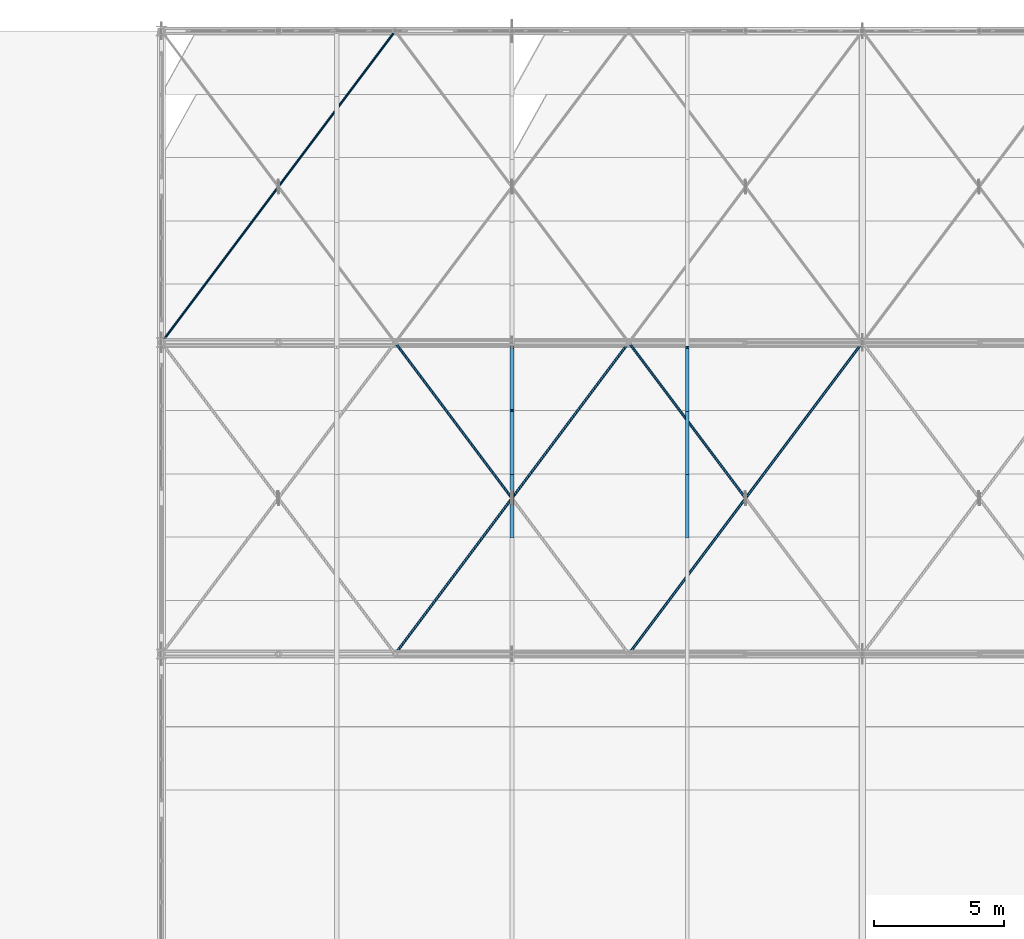
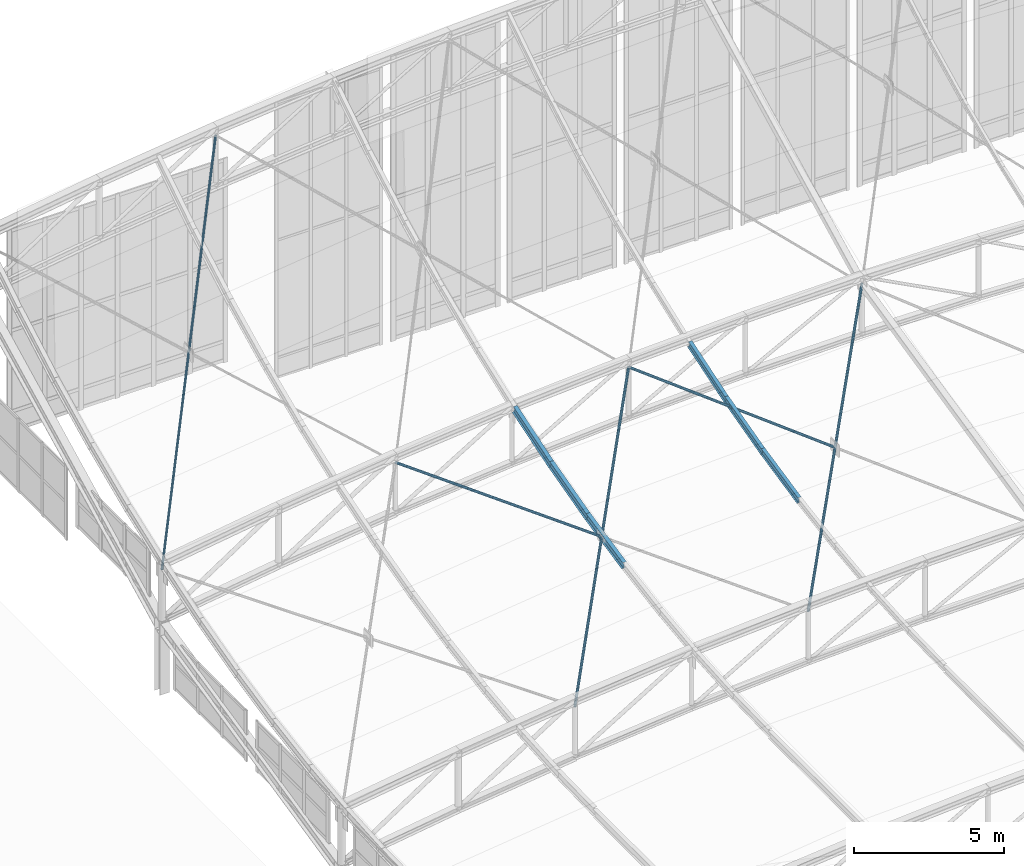
# One storey, part 115 of 262: 11 members.
"""IFC4 building model written with IfcOpenShell, lengths in metres."""

import ifcopenshell
import ifcopenshell.guid

model = None  # the IFC model being written
_history = None  # IfcOwnerHistory: only IFC2X3 demands one
_inside = {}  # id of a spatial element -> (the spatial element, [elements in it])
_under = {}  # id of a project, library or spatial element -> (it, [spatial elements below it])
_declared = {}  # id of a project -> (the project, [libraries it declares])
_typed = {}  # id of a type object -> (the type object, [elements of that type])
_made_of = {}  # id of a material, layer set ... -> (it, [elements and type objects made of it])


def new_model(schema):
    """Start an empty IFC model of exactly this schema.

    Asked for "IFC4X3", IfcOpenShell would pick the latest addendum, in which some entities
    have other attributes; the version numbers below select the first issue.
    IFC2X3 requires an IfcOwnerHistory on every rooted entity: one is made here for all.
    """
    global model, _history
    if schema == "IFC4X3":
        model = ifcopenshell.file(schema_version=(4, 3, 0, 0))
    else:
        model = ifcopenshell.file(schema=schema)
    _inside.clear()
    _under.clear()
    _declared.clear()
    _typed.clear()
    _made_of.clear()
    _history = None
    if model.schema == "IFC2X3":
        org = make("IfcOrganization", Name="unknown")
        user = make(
            "IfcPersonAndOrganization",
            ThePerson=make("IfcPerson", FamilyName="unknown"),
            TheOrganization=org,
        )
        app = make(
            "IfcApplication",
            ApplicationDeveloper=org,
            Version="unknown",
            ApplicationFullName="unknown",
            ApplicationIdentifier="unknown",
        )
        _history = make(
            "IfcOwnerHistory",
            OwningUser=user,
            OwningApplication=app,
            ChangeAction="ADDED",
            CreationDate=0,
        )
    return model


def make(cls, **values):
    """One entity of the class cls with the attributes given. An attribute that is None is left unset."""
    return model.create_entity(
        cls, **{name: value for name, value in values.items() if value is not None}
    )


def rooted(cls, **values):
    """An entity with a GlobalId (a new one), such as an element, a storey or a relation."""
    return make(cls, GlobalId=ifcopenshell.guid.new(), OwnerHistory=_history, **values)


def si_unit(unit_type, name, prefix=None):
    """IfcSIUnit, for example si_unit("LENGTHUNIT", "METRE", prefix="MILLI")."""
    return make("IfcSIUnit", UnitType=unit_type, Prefix=prefix, Name=name)


def derived_unit(unit_type, elements):
    """IfcDerivedUnit: a product of units, each with its exponent."""
    return make(
        "IfcDerivedUnit",
        Elements=[
            make("IfcDerivedUnitElement", Unit=unit, Exponent=power)
            for unit, power in elements
        ],
        UnitType=unit_type,
    )


def assignment(units):
    """IfcUnitAssignment: the units of a project."""
    return None if units is None else make("IfcUnitAssignment", Units=units)


def point(xyz):
    """IfcCartesianPoint."""
    return None if xyz is None else make("IfcCartesianPoint", Coordinates=xyz)


def direction(xyz):
    """IfcDirection."""
    return None if xyz is None else make("IfcDirection", DirectionRatios=xyz)


def frame(location, z_axis=None, x_axis=None):
    """IfcAxis2Placement3D, a coordinate frame: its origin and axes. An axis left out is left unset."""
    return make(
        "IfcAxis2Placement3D",
        Location=point(location),
        Axis=direction(z_axis),
        RefDirection=direction(x_axis),
    )


def frame_2d(location, x_axis=None):
    """IfcAxis2Placement2D, a coordinate frame in the plane: its origin and x axis."""
    return make(
        "IfcAxis2Placement2D", Location=point(location), RefDirection=direction(x_axis)
    )


def origin():
    """The frame at (0, 0, 0) with its axes left unset."""
    return frame((0.0, 0.0, 0.0))


def origin_2d():
    """The frame at (0, 0) in the plane with its x axis left unset."""
    return frame_2d((0.0, 0.0))


def place(relative_to, where):
    """IfcLocalPlacement: puts the frame where relative to a parent placement (None: the world)."""
    return make(
        "IfcLocalPlacement", PlacementRelTo=relative_to, RelativePlacement=where
    )


def context(
    kind, dimensions, precision=None, world=None, true_north=None, identifier=None
):
    """IfcGeometricRepresentationContext, for example the 3D "Model" context."""
    return make(
        "IfcGeometricRepresentationContext",
        ContextIdentifier=identifier,
        ContextType=kind,
        CoordinateSpaceDimension=dimensions,
        Precision=precision,
        WorldCoordinateSystem=world,
        TrueNorth=true_north,
    )


def subcontext(parent, identifier, kind, view, scale=None):
    """IfcGeometricRepresentationSubContext, for example "Body" below "Model"."""
    return make(
        "IfcGeometricRepresentationSubContext",
        ContextIdentifier=identifier,
        ContextType=kind,
        ParentContext=parent,
        TargetScale=scale,
        TargetView=view,
    )


def project(units=None, contexts=None):
    """IfcProject with its units and contexts."""
    return rooted(
        "IfcProject",
        Name="project",
        RepresentationContexts=contexts,
        UnitsInContext=assignment(units),
    )


def spatial(cls, under=None, at=None, **own):
    """A site, building, storey or space (cls), placed at a placement, below another one or the project."""
    s = rooted(cls, ObjectPlacement=at, **own)
    if under is not None:
        _under.setdefault(under.id(), (under, []))[1].append(s)
    return s


def profile(cls, at=None, kind="AREA", **sizes):
    """A parametric profile (cls). Its sizes go by their IFC names, for example OverallWidth=200.0."""
    return make(cls, ProfileType=kind, Position=at, **sizes)


def hollow_circle(**sizes):
    """IfcCircleHollowProfileDef."""
    return profile("IfcCircleHollowProfileDef", **sizes)


def i_section(**sizes):
    """IfcIShapeProfileDef."""
    return profile("IfcIShapeProfileDef", **sizes)


def extrude(swept, where, along, depth):
    """IfcExtrudedAreaSolid: the profile swept, set in the frame where, extruded along a direction by depth."""
    return make(
        "IfcExtrudedAreaSolid",
        SweptArea=swept,
        Position=where,
        ExtrudedDirection=direction(along),
        Depth=depth,
    )


def shape(context_of_items, identifier, shape_type, items):
    """IfcShapeRepresentation: the items that make up one representation, for example the "Body"."""
    return make(
        "IfcShapeRepresentation",
        ContextOfItems=context_of_items,
        RepresentationIdentifier=identifier,
        RepresentationType=shape_type,
        Items=items,
    )


def material(Name=None, Category=None):
    """IfcMaterial."""
    return make("IfcMaterial", Name=Name, Category=Category)


def material_profile(
    of_material, cross_section, Name=None, Category=None, Priority=None
):
    """IfcMaterialProfile: a cross section and its material."""
    return make(
        "IfcMaterialProfile",
        Name=Name,
        Material=of_material,
        Profile=cross_section,
        Priority=Priority,
        Category=Category,
    )


def profile_set(profiles, Name=None, composite=None):
    """IfcMaterialProfileSet."""
    return make(
        "IfcMaterialProfileSet",
        Name=Name,
        MaterialProfiles=profiles,
        CompositeProfile=composite,
    )


def made_of(thing, what):
    """Note that an element or type object is made of a material, layer set ...; save() writes the relation."""
    if what is not None:
        _made_of.setdefault(what.id(), (what, []))[1].append(thing)
    return thing


def type_object(cls, material=None, **own):
    """A type object (cls), such as IfcWallType, which elements share."""
    return made_of(rooted(cls, **own), material)


def element(
    cls,
    number,
    at=None,
    inside=None,
    cuts=None,
    type_object=None,
    material=None,
    context=None,
    identifier="Body",
    shape_type=None,
    held_by="IfcProductDefinitionShape",
    body=None,
    shapes=None,
    **own,
):
    """One element of the class cls, such as IfcWall. Its Tag is "e" and its number.

    at: its placement. inside: the storey or other place that contains it. cuts: it is an
    opening in that element (IfcRelVoidsElement). A single representation is given by context,
    identifier, shape_type and body (its items); several are given by shapes. held_by: the class
    of the entity that holds the representations. save() writes the other relations.
    """
    e = rooted(cls, Tag="e%d" % number, ObjectPlacement=at, **own)
    if body is not None:
        shapes = [shape(context, identifier, shape_type, body)]
    if shapes is not None:
        e.Representation = make(held_by, Representations=shapes)
    if inside is not None:
        _inside.setdefault(inside.id(), (inside, []))[1].append(e)
    if cuts is not None:
        rooted(
            "IfcRelVoidsElement", RelatingBuildingElement=cuts, RelatedOpeningElement=e
        )
    if type_object is not None:
        _typed.setdefault(type_object.id(), (type_object, []))[1].append(e)
    return made_of(e, material)


def aggregate(whole, parts):
    """IfcRelAggregates: a whole, such as a stair, and the parts it consists of."""
    return rooted("IfcRelAggregates", RelatingObject=whole, RelatedObjects=parts)


def save(model, path):
    """Write the relations noted so far, then the file.

    IfcRelAggregates (storeys below a building ...), IfcRelContainedInSpatialStructure (elements
    in a storey), IfcRelDefinesByType, IfcRelAssociatesMaterial and IfcRelDeclares: one each for
    every whole, place, type object, material and project.
    """
    for whole, parts in _under.values():
        aggregate(whole, parts)
    for where, things in _inside.values():
        rooted(
            "IfcRelContainedInSpatialStructure",
            RelatedElements=things,
            RelatingStructure=where,
        )
    for kind, things in _typed.values():
        rooted("IfcRelDefinesByType", RelatedObjects=things, RelatingType=kind)
    for what, things in _made_of.values():
        rooted("IfcRelAssociatesMaterial", RelatedObjects=things, RelatingMaterial=what)
    for by, libraries in _declared.values():
        rooted("IfcRelDeclares", RelatingContext=by, RelatedDefinitions=libraries)
    model.write(path)


model = new_model("IFC4")

# Units and contexts
model_context = context("Model", 3, precision=1e-05, world=origin(), true_north=direction((0.0, 1.0)))
body_context = subcontext(model_context, "Body", "Model", "MODEL_VIEW")
ifc_project = project(units=[si_unit("LENGTHUNIT", "METRE"), si_unit("AREAUNIT", "SQUARE_METRE"), si_unit("VOLUMEUNIT", "CUBIC_METRE"), si_unit("PLANEANGLEUNIT", "RADIAN"), si_unit("MASSUNIT", "GRAM", prefix="KILO"), derived_unit("THERMALTRANSMITTANCEUNIT", [(si_unit("POWERUNIT", "WATT"), 1), (si_unit("LENGTHUNIT", "METRE"), -2), (si_unit("THERMODYNAMICTEMPERATUREUNIT", "KELVIN"), -1)])], contexts=[model_context])

# Site, building, storey
site_placement = place(None, origin())
site = spatial("IfcSite", under=ifc_project, at=site_placement, CompositionType="ELEMENT")
building_placement = place(site_placement, origin())
building = spatial("IfcBuilding", under=site, at=building_placement, Name="Almenara Railside Exhibition Hall", CompositionType="ELEMENT")
storey_placement = place(building_placement, frame((0.0, 0.0, 21.699951171875)))
storey = spatial("IfcBuildingStorey", under=building, at=storey_placement, Name="RF", CompositionType="ELEMENT", Elevation=21.699951171875)

# Members
ifc_material = material(Name="Structural steel S355JR", Category="steel")
ifc_material_profile_1 = material_profile(ifc_material, hollow_circle(Radius=0.04443359375, WallThickness=0.00390625, at=origin_2d()), Name="CHS 88.9x4")
ifc_profile_set_1 = profile_set([ifc_material_profile_1], Name="Structural steel S355JR")
member_type_1 = type_object("IfcMemberType", Name="Canopy Tie Brace CHS 88.9x4 S355JR", PredefinedType="BRACE", material=ifc_profile_set_1)
member_1_placement = place(storey_placement, frame((12.0, 120.0, 2.561279296875), z_axis=(0.539771464134, 0.719695285512, 0.436675465898), x_axis=(-0.8, 0.6, 0.0)))
element("IfcMember", 1, at=member_1_placement, inside=storey, type_object=member_type_1, Name="MEM-WB-V1-WB-CHS89-06-00-C", PredefinedType="BRACE", context=body_context, shape_type="SweptSolid", body=[
    extrude(hollow_circle(Radius=0.04443359375, WallThickness=0.00390625, at=origin_2d()), origin(), (0.0, 0.0, 1.0), 16.673828125),
])
ifc_material_profile_2 = material_profile(ifc_material, i_section(OverallWidth=0.14990234375, OverallDepth=0.300048828125, WebThickness=0.007080078125, FlangeThickness=0.0107421875, FilletRadius=0.014892578125, at=origin_2d()), Name="IPE 300")
ifc_profile_set_2 = profile_set([ifc_material_profile_2], Name="Structural steel S355JR")
member_type_2 = type_object("IfcMemberType", Name="East Hall Ridge Purlin IPE 300 S355JR", PredefinedType="PURLIN", material=ifc_profile_set_2)
member_2_placement = place(storey_placement, frame((25.5, 112.50634765625, 2.55078125), z_axis=(0.0, 0.977496103583, 0.210953472309), x_axis=(-1.0, 0.0, 0.0)))
element("IfcMember", 2, at=member_2_placement, inside=storey, type_object=member_type_2, Name="MEM-PR-V1-PR-IPE300-02-20", PredefinedType="PURLIN", context=body_context, shape_type="SweptSolid", body=[
    extrude(i_section(OverallWidth=0.14990234375, OverallDepth=0.300048828125, WebThickness=0.007080078125, FlangeThickness=0.0107421875, FilletRadius=0.014892578125, at=origin_2d()), origin(), (0.0, 0.0, 1.0), 2.492919921875),
])
member_3_placement = place(storey_placement, frame((25.5, 114.943115234375, 3.072509765625), z_axis=(0.0, 0.966201190487, 0.257789176462), x_axis=(-1.0, 0.0, 0.0)))
element("IfcMember", 3, at=member_3_placement, inside=storey, type_object=member_type_2, Name="MEM-PR-V1-PR-IPE300-02-21", PredefinedType="PURLIN", context=body_context, shape_type="SweptSolid", body=[
    extrude(i_section(OverallWidth=0.14990234375, OverallDepth=0.300048828125, WebThickness=0.007080078125, FlangeThickness=0.0107421875, FilletRadius=0.014892578125, at=origin_2d()), origin(), (0.0, 0.0, 1.0), 2.52197265625),
])
member_4_placement = place(storey_placement, frame((25.5, 117.3798828125, 3.717529296875), z_axis=(0.0, 0.952468462339, 0.304637207594), x_axis=(-1.0, 0.0, 0.0)))
element("IfcMember", 4, at=member_4_placement, inside=storey, type_object=member_type_2, Name="MEM-PR-V1-PR-IPE300-02-22", PredefinedType="PURLIN", context=body_context, shape_type="SweptSolid", body=[
    extrude(i_section(OverallWidth=0.14990234375, OverallDepth=0.300048828125, WebThickness=0.007080078125, FlangeThickness=0.0107421875, FilletRadius=0.014892578125, at=origin_2d()), origin(), (0.0, 0.0, 1.0), 2.55810546875),
])
ifc_material_profile_3 = material_profile(ifc_material, i_section(OverallWidth=0.135009765625, OverallDepth=0.27001953125, WebThickness=0.006591796875, FlangeThickness=0.01025390625, FilletRadius=0.014892578125, at=origin_2d()), Name="IPE 270")
ifc_profile_set_3 = profile_set([ifc_material_profile_3], Name="Structural steel S355JR")
member_type_3 = type_object("IfcMemberType", Name="East Hall Standard Purlin IPE 270 S355JR", PredefinedType="PURLIN", material=ifc_profile_set_3)
member_5_placement = place(storey_placement, frame((32.25, 112.50634765625, 2.843994140625), z_axis=(0.0, 0.977496103583, 0.210953472309), x_axis=(-1.0, 0.0, 0.0)))
element("IfcMember", 5, at=member_5_placement, inside=storey, type_object=member_type_3, Name="MEM-PR-V1-PR-IPE270-03-20", PredefinedType="PURLIN", context=body_context, shape_type="SweptSolid", body=[
    extrude(i_section(OverallWidth=0.135009765625, OverallDepth=0.27001953125, WebThickness=0.006591796875, FlangeThickness=0.01025390625, FilletRadius=0.014892578125, at=origin_2d()), origin(), (0.0, 0.0, 1.0), 2.492919921875),
])
member_6_placement = place(storey_placement, frame((32.25, 114.943115234375, 3.36572265625), z_axis=(0.0, 0.966177075278, 0.257879543988), x_axis=(-1.0, 0.0, 0.0)))
element("IfcMember", 6, at=member_6_placement, inside=storey, type_object=member_type_3, Name="MEM-PR-V1-PR-IPE270-03-21", PredefinedType="PURLIN", context=body_context, shape_type="SweptSolid", body=[
    extrude(i_section(OverallWidth=0.135009765625, OverallDepth=0.27001953125, WebThickness=0.006591796875, FlangeThickness=0.01025390625, FilletRadius=0.014892578125, at=origin_2d()), origin(), (0.0, 0.0, 1.0), 2.52197265625),
])
member_7_placement = place(storey_placement, frame((32.25, 117.3798828125, 4.010986328125), z_axis=(0.0, 0.952440767254, 0.304723784553), x_axis=(-1.0, 0.0, 0.0)))
element("IfcMember", 7, at=member_7_placement, inside=storey, type_object=member_type_3, Name="MEM-PR-V1-PR-IPE270-03-22", PredefinedType="PURLIN", context=body_context, shape_type="SweptSolid", body=[
    extrude(i_section(OverallWidth=0.135009765625, OverallDepth=0.27001953125, WebThickness=0.006591796875, FlangeThickness=0.01025390625, FilletRadius=0.014892578125, at=origin_2d()), origin(), (0.0, 0.0, 1.0), 2.55810546875),
])
ifc_material_profile_4 = material_profile(ifc_material, hollow_circle(Radius=0.05078125, WallThickness=0.00390625, at=origin_2d()), Name="CHS 101.6x4")
ifc_profile_set_4 = profile_set([ifc_material_profile_4], Name="Structural steel S355JR")
member_type_4 = type_object("IfcMemberType", Name="Scroll Wind Plan Brace CHS 101.6x4 S355JR", PredefinedType="BRACE", material=ifc_profile_set_4)
member_8_placement = place(storey_placement, frame((21.0, 108.0, 1.10693359375), z_axis=(0.585072790506, 0.780097054008, 0.221671865913), x_axis=(-0.8, 0.6, 0.0)))
element("IfcMember", 8, at=member_8_placement, inside=storey, type_object=member_type_4, Name="MEM-WB-V1-WB-CHS102-05-02-C", PredefinedType="BRACE", context=body_context, shape_type="SweptSolid", body=[
    extrude(hollow_circle(Radius=0.05078125, WallThickness=0.00390625, at=origin_2d()), origin(), (0.0, 0.0, 1.0), 15.3828125),
])
member_9_placement = place(storey_placement, frame((25.46728515625, 114.04345703125, 2.81884765625), z_axis=(-0.595016918784, 0.793377570472, 0.128479169642), x_axis=(-0.800007869506, -0.599989507182, 0.0)))
element("IfcMember", 9, at=member_9_placement, inside=storey, type_object=member_type_4, Name="MEM-WB-V1-WB-CHS102-05-02-S2", PredefinedType="BRACE", context=body_context, shape_type="SweptSolid", body=[
    extrude(hollow_circle(Radius=0.05078125, WallThickness=0.00390625, at=origin_2d()), origin(), (0.0, 0.0, 1.0), 7.5078125),
])
member_10_placement = place(storey_placement, frame((30.0, 108.0, 1.84033203125), z_axis=(0.588938082067, 0.785250776089, 0.19113648041), x_axis=(-0.8, 0.6, 0.0)))
element("IfcMember", 10, at=member_10_placement, inside=storey, type_object=member_type_4, Name="MEM-WB-V1-WB-CHS102-05-04-C", PredefinedType="BRACE", context=body_context, shape_type="SweptSolid", body=[
    extrude(hollow_circle(Radius=0.05078125, WallThickness=0.00390625, at=origin_2d()), origin(), (0.0, 0.0, 1.0), 15.28173828125),
])
member_11_placement = place(storey_placement, frame((34.467529296875, 114.043212890625, 3.3095703125), z_axis=(-0.592260313902, 0.789691207109, 0.160048486379), x_axis=(-0.80000393459, -0.599994753845, 0.0)))
element("IfcMember", 11, at=member_11_placement, inside=storey, type_object=member_type_4, Name="MEM-WB-V1-WB-CHS102-05-04-S2", PredefinedType="BRACE", context=body_context, shape_type="SweptSolid", body=[
    extrude(hollow_circle(Radius=0.05078125, WallThickness=0.00390625, at=origin_2d()), origin(), (0.0, 0.0, 1.0), 7.543212890625),
])

save(model, "model.ifc")
